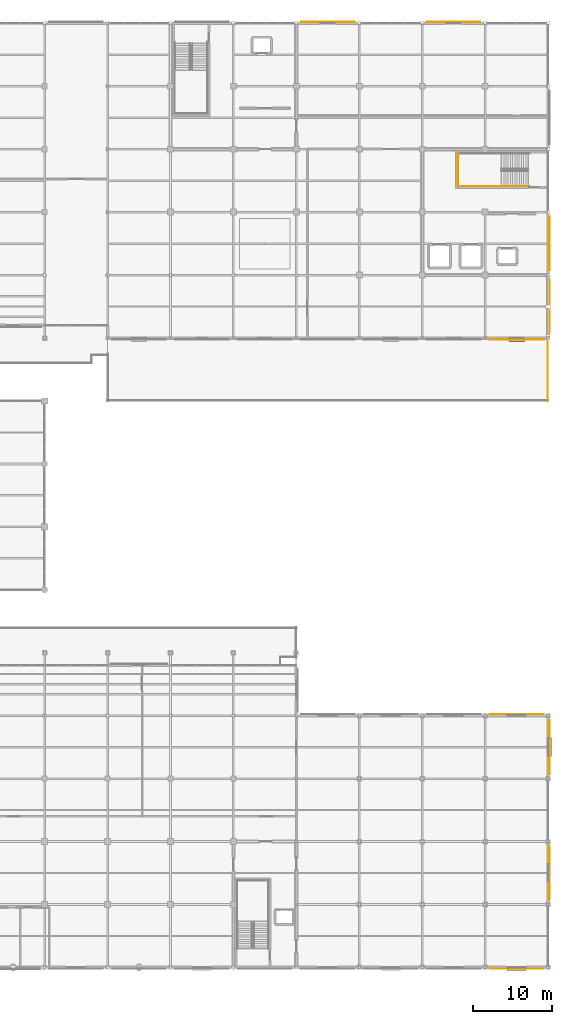
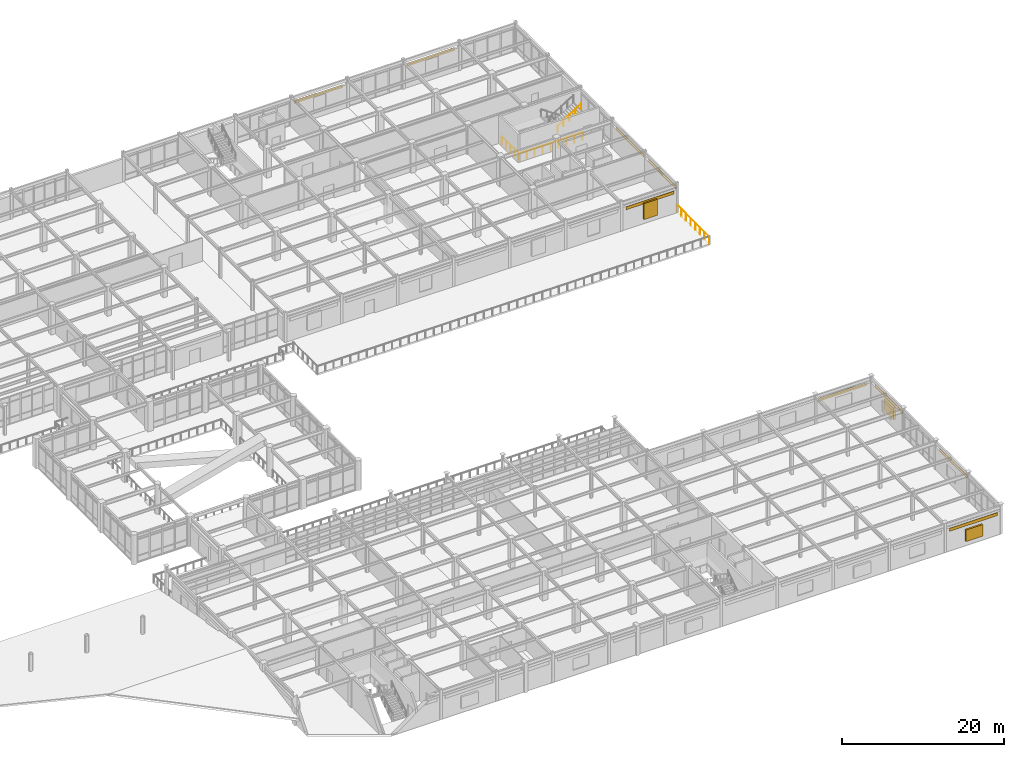
# One storey, part 109 of 111: 9 coverings, 4 railings, 3 shading devices.
"""IFC4 building model written with IfcOpenShell, lengths in metres."""

from ifc_helpers import new_model, si_unit, direction, frame, origin, origin_2d, place, context, subcontext, project, spatial, rectangle, circle, extrude, material, layer, layer_set, type_object, element, save


model = new_model("IFC4")

# Units and contexts
model_context = context("Model", 3, precision=1e-05, world=origin(), true_north=direction((0.0, 1.0)))
body_context = subcontext(model_context, "Body", "Model", "MODEL_VIEW")
ifc_project = project(units=[si_unit("LENGTHUNIT", "METRE"), si_unit("AREAUNIT", "SQUARE_METRE"), si_unit("VOLUMEUNIT", "CUBIC_METRE"), si_unit("PLANEANGLEUNIT", "RADIAN"), si_unit("MASSUNIT", "GRAM", prefix="KILO")], contexts=[model_context])

# Site, building, storey
site_placement = place(None, origin())
site = spatial("IfcSite", under=ifc_project, at=site_placement, CompositionType="ELEMENT")
building_placement = place(site_placement, origin())
building = spatial("IfcBuilding", under=site, at=building_placement, Name="Solmirada Galleria", CompositionType="ELEMENT")
storey_placement = place(building_placement, frame((0.0, 0.0, 10.39990234375)))
storey = spatial("IfcBuildingStorey", under=building, at=storey_placement, Name="L02", CompositionType="ELEMENT", Elevation=10.39990234375)

# Coverings
ifc_material_1 = material(Name="Limestone cladding panels", Category="masonry")
ifc_layer_1 = layer(ifc_material_1, 0.044921875)
ifc_layer_set_1 = layer_set([ifc_layer_1], Name="Limestone cladding panels")
covering_type_1 = type_object("IfcCoveringType", Name="COV-CLAD-LIME", PredefinedType="CLADDING", material=ifc_layer_set_1)
for number, where, z_axis, x_axis, name in (
    (1, (148.0, 120.177490234375, 2.990234375), (0.0, 0.0, 1.0), (1.0, 0.0, 0.0), "Postmodern facade cladding L02-157"),
    (2, (164.0, 120.177490234375, 2.990234375), (0.0, 0.0, 1.0), (1.0, 0.0, 0.0), "Postmodern facade cladding L02-158"),
):
    element("IfcCovering", number, at=place(storey_placement, frame(where, z_axis=z_axis, x_axis=x_axis)), inside=storey, type_object=covering_type_1, Name=name, PredefinedType="CLADDING", context=body_context, shape_type="SweptSolid", body=[
        extrude(rectangle(XDim=6.7939453125, YDim=0.044921875, at=origin_2d()), origin(), (0.0, 0.0, 1.0), 0.4599609375),
    ])
covering_1_placement = place(storey_placement, frame((176.202392578125, 84.0, 2.990234375), z_axis=(0.0, 0.0, 1.0), x_axis=(0.0, -1.0, 0.0)))
element("IfcCovering", 3, at=covering_1_placement, inside=storey, type_object=covering_type_1, Name="Postmodern facade cladding L02-161", PredefinedType="CLADDING", context=body_context, shape_type="SweptSolid", body=[
    extrude(rectangle(XDim=6.819091796875, YDim=0.044921875, at=origin_2d()), origin(), (0.0, 0.0, 1.0), 0.4599609375),
])
for number, where, z_axis, x_axis, name in (
    (4, (176.177490234375, 28.0, 2.990234375), (0.0, 0.0, 1.0), (0.0, -1.0, 0.0), "Postmodern facade cladding L02-178"),
    (5, (176.177490234375, 12.0, 2.990234375), (0.0, 0.0, 1.0), (0.0, -1.0, 0.0), "Postmodern facade cladding L02-179"),
):
    element("IfcCovering", number, at=place(storey_placement, frame(where, z_axis=z_axis, x_axis=x_axis)), inside=storey, type_object=covering_type_1, Name=name, PredefinedType="CLADDING", context=body_context, shape_type="SweptSolid", body=[
        extrude(rectangle(XDim=6.843994140625, YDim=0.044921875, at=origin_2d()), origin(), (0.0, 0.0, 1.0), 0.4599609375),
    ])
ifc_material_2 = material(Name="Glazed terracotta facade panels", Category="masonry")
ifc_layer_2 = layer(ifc_material_2, 0.0400390625)
ifc_layer_set_2 = layer_set([ifc_layer_2], Name="Glazed terracotta facade panels")
covering_type_2 = type_object("IfcCoveringType", Name="COV-CLAD-TERRA", PredefinedType="CLADDING", material=ifc_layer_set_2)
covering_2_placement = place(storey_placement, frame((172.0, -0.175048828125, 2.990234375), z_axis=(0.0, 0.0, 1.0), x_axis=(-1.0, 0.0, 0.0)))
element("IfcCovering", 6, at=covering_2_placement, inside=storey, type_object=covering_type_2, Name="Postmodern facade cladding L02-123", PredefinedType="CLADDING", context=body_context, shape_type="SweptSolid", body=[
    extrude(rectangle(XDim=6.843994140625, YDim=0.0400390625, at=origin_2d()), origin(), (0.0, 0.0, 1.0), 0.4599609375),
])
covering_3_placement = place(storey_placement, frame((176.175048828125, 92.0, 2.990234375), z_axis=(0.0, 0.0, 1.0), x_axis=(0.0, -1.0, 0.0)))
element("IfcCovering", 7, at=covering_3_placement, inside=storey, type_object=covering_type_2, Name="Postmodern facade cladding L02-160", PredefinedType="CLADDING", context=body_context, shape_type="SweptSolid", body=[
    extrude(rectangle(XDim=6.7939453125, YDim=0.0400390625, at=origin_2d()), origin(), (0.0, 0.0, 1.0), 0.4599609375),
])
for number, where, z_axis, x_axis, name in (
    (8, (172.0, 79.824951171875, 2.990234375), (0.0, 0.0, 1.0), (-1.0, 0.0, 0.0), "Postmodern facade cladding L02-162"),
    (9, (172.0, 32.175048828125, 2.990234375), (0.0, 0.0, 1.0), (1.0, 0.0, 0.0), "Postmodern facade cladding L02-177"),
):
    element("IfcCovering", number, at=place(storey_placement, frame(where, z_axis=z_axis, x_axis=x_axis)), inside=storey, type_object=covering_type_2, Name=name, PredefinedType="CLADDING", context=body_context, shape_type="SweptSolid", body=[
        extrude(rectangle(XDim=6.843994140625, YDim=0.0400390625, at=origin_2d()), origin(), (0.0, 0.0, 1.0), 0.4599609375),
    ])

# Railings
ifc_material_3 = material(Name="Painted steel tubular railing", Category="steel")
railing_type_1 = type_object("IfcRailingType", Name="RAIL-STAIR-GUARD", PredefinedType="GUARDRAIL", material=ifc_material_3)
railing_1_placement = place(storey_placement, frame((173.6201171875, 99.2900390625, 0.0)))
element("IfcRailing", 10, at=railing_1_placement, inside=storey, type_object=railing_type_1, Name="Stair ST4 well edge guard L02-1", PredefinedType="GUARDRAIL", context=body_context, shape_type="SweptSolid", body=[
    extrude(circle(Radius=0.02392578125, at=origin_2d()), frame((0.0, 0.0, 1.09619140625), z_axis=(-1.0, 0.0, 0.0), x_axis=(0.0, -1.0, 0.0)), (0.0, 0.0, 1.0), 9.080078125),
    extrude(circle(Radius=0.02099609375, at=origin_2d()), origin(), (0.0, 0.0, 1.0), 1.068115234375),
    extrude(circle(Radius=0.02099609375, at=origin_2d()), frame((-1.135009765625, 0.0, 0.0)), (0.0, 0.0, 1.0), 1.068115234375),
    extrude(circle(Radius=0.02099609375, at=origin_2d()), frame((-2.27001953125, 0.0, 0.0)), (0.0, 0.0, 1.0), 1.068115234375),
    extrude(circle(Radius=0.02099609375, at=origin_2d()), frame((-3.405029296875, 0.0, 0.0)), (0.0, 0.0, 1.0), 1.068115234375),
    extrude(circle(Radius=0.02099609375, at=origin_2d()), frame((-4.5400390625, 0.0, 0.0)), (0.0, 0.0, 1.0), 1.068115234375),
    extrude(circle(Radius=0.02099609375, at=origin_2d()), frame((-5.675048828125, 0.0, 0.0)), (0.0, 0.0, 1.0), 1.068115234375),
    extrude(circle(Radius=0.02099609375, at=origin_2d()), frame((-6.81005859375, 0.0, 0.0)), (0.0, 0.0, 1.0), 1.068115234375),
    extrude(circle(Radius=0.02099609375, at=origin_2d()), frame((-7.945068359375, 0.0, 0.0)), (0.0, 0.0, 1.0), 1.068115234375),
    extrude(circle(Radius=0.02099609375, at=origin_2d()), frame((-9.080078125, 0.0, 0.0)), (0.0, 0.0, 1.0), 1.068115234375),
])
railing_2_placement = place(storey_placement, frame((164.5400390625, 99.2900390625, 0.0)))
element("IfcRailing", 11, at=railing_2_placement, inside=storey, type_object=railing_type_1, Name="Stair ST4 well edge guard L02-2", PredefinedType="GUARDRAIL", context=body_context, shape_type="SweptSolid", body=[
    extrude(circle(Radius=0.02392578125, at=origin_2d()), frame((0.0, 0.0, 1.09619140625), z_axis=(0.0, 1.0, 0.0), x_axis=(-1.0, 0.0, 0.0)), (0.0, 0.0, 1.0), 4.169921875),
    extrude(circle(Radius=0.02099609375, at=origin_2d()), origin(), (0.0, 0.0, 1.0), 1.068115234375),
    extrude(circle(Radius=0.02099609375, at=origin_2d()), frame((0.0, 1.04248046875, 0.0)), (0.0, 0.0, 1.0), 1.068115234375),
    extrude(circle(Radius=0.02099609375, at=origin_2d()), frame((0.0, 2.0849609375, 0.0)), (0.0, 0.0, 1.0), 1.068115234375),
    extrude(circle(Radius=0.02099609375, at=origin_2d()), frame((0.0, 3.12744140625, 0.0)), (0.0, 0.0, 1.0), 1.068115234375),
    extrude(circle(Radius=0.02099609375, at=origin_2d()), frame((0.0, 4.169921875, 0.0)), (0.0, 0.0, 1.0), 1.068115234375),
])
railing_type_2 = type_object("IfcRailingType", Name="RAIL-STAIR-HAND", PredefinedType="HANDRAIL", material=ifc_material_3)
railing_3_placement = place(storey_placement, frame((170.090087890625, 99.300048828125, 2.423095703125)))
element("IfcRailing", 12, at=railing_3_placement, inside=storey, type_object=railing_type_2, Name="L02 ST4 stair handrail 2", PredefinedType="HANDRAIL", context=body_context, shape_type="SweptSolid", body=[
    extrude(circle(Radius=0.02392578125, at=origin_2d()), frame((0.0, 0.0, 0.8759765625), z_axis=(0.830896709279, 0.0, 0.556426687452), x_axis=(0.0, 1.0, 0.0)), (0.0, 0.0, 1.0), 4.043701171875),
    extrude(circle(Radius=0.02099609375, at=origin_2d()), origin(), (0.0, 0.0, 1.0), 0.847900390625),
    extrude(circle(Radius=0.02099609375, at=origin_2d()), frame((0.83984375, 0.0, 0.5625)), (0.0, 0.0, 1.0), 0.847900390625),
    extrude(circle(Radius=0.02099609375, at=origin_2d()), frame((1.679931640625, 0.0, 1.125)), (0.0, 0.0, 1.0), 0.847900390625),
    extrude(circle(Radius=0.02099609375, at=origin_2d()), frame((2.52001953125, 0.0, 1.6875)), (0.0, 0.0, 1.0), 0.847900390625),
    extrude(circle(Radius=0.02099609375, at=origin_2d()), frame((3.35986328125, 0.0, 2.25)), (0.0, 0.0, 1.0), 0.847900390625),
])
ifc_material_4 = material(Name="Painted galvanized steel balustrade", Category="steel")
railing_type_3 = type_object("IfcRailingType", Name="RAIL-TERR-1100", PredefinedType="GUARDRAIL", material=ifc_material_4)
railing_4_placement = place(storey_placement, frame((175.949951171875, 72.0, 0.0)))
element("IfcRailing", 13, at=railing_4_placement, inside=storey, type_object=railing_type_3, Name="Terrace guardrail L02-TERR-WING E2.1", PredefinedType="GUARDRAIL", context=body_context, shape_type="SweptSolid", body=[
    extrude(circle(Radius=0.02392578125, at=origin_2d()), frame((0.0, 0.0, 1.09619140625), z_axis=(0.0, 1.0, 0.0), x_axis=(-1.0, 0.0, 0.0)), (0.0, 0.0, 1.0), 8.0),
    extrude(circle(Radius=0.02099609375, at=origin_2d()), origin(), (0.0, 0.0, 1.0), 1.068115234375),
    extrude(circle(Radius=0.02099609375, at=origin_2d()), frame((0.0, 1.142822265625, 0.0)), (0.0, 0.0, 1.0), 1.068115234375),
    extrude(circle(Radius=0.02099609375, at=origin_2d()), frame((0.0, 2.28564453125, 0.0)), (0.0, 0.0, 1.0), 1.068115234375),
    extrude(circle(Radius=0.02099609375, at=origin_2d()), frame((0.0, 3.428466796875, 0.0)), (0.0, 0.0, 1.0), 1.068115234375),
    extrude(circle(Radius=0.02099609375, at=origin_2d()), frame((0.0, 4.571533203125, 0.0)), (0.0, 0.0, 1.0), 1.068115234375),
    extrude(circle(Radius=0.02099609375, at=origin_2d()), frame((0.0, 5.71435546875, 0.0)), (0.0, 0.0, 1.0), 1.068115234375),
    extrude(circle(Radius=0.02099609375, at=origin_2d()), frame((0.0, 6.857177734375, 0.0)), (0.0, 0.0, 1.0), 1.068115234375),
    extrude(circle(Radius=0.02099609375, at=origin_2d()), frame((0.0, 8.0, 0.0)), (0.0, 0.0, 1.0), 1.068115234375),
])

# Shading devices
ifc_material_5 = material(Name="Extruded aluminium storm louvres", Category="aluminium")
shading_device_type = type_object("IfcShadingDeviceType", Name="SHD-JALOUSIE", PredefinedType="JALOUSIE", material=ifc_material_5)
shading_device_1_placement = place(storey_placement, frame((172.0, -0.284912109375, 0.800048828125), z_axis=(0.0, 0.0, 1.0), x_axis=(-1.0, 0.0, 0.0)))
element("IfcShadingDevice", 14, at=shading_device_1_placement, inside=storey, type_object=shading_device_type, Name="Hurricane storm jalousie louvre 049", PredefinedType="JALOUSIE", context=body_context, shape_type="SweptSolid", body=[
    extrude(rectangle(XDim=2.409912109375, YDim=0.260009765625, at=origin_2d()), origin(), (0.0, 0.0, 1.0), 1.75),
])
shading_device_2_placement = place(storey_placement, frame((172.0, 79.715087890625, 0.800048828125), z_axis=(0.0, 0.0, 1.0), x_axis=(-1.0, 0.0, 0.0)))
element("IfcShadingDevice", 15, at=shading_device_2_placement, inside=storey, type_object=shading_device_type, Name="Hurricane storm jalousie louvre 058", PredefinedType="JALOUSIE", context=body_context, shape_type="SweptSolid", body=[
    extrude(rectangle(XDim=1.9599609375, YDim=0.260009765625, at=origin_2d()), origin(), (0.0, 0.0, 1.0), 2.39990234375),
])
shading_device_3_placement = place(storey_placement, frame((176.284912109375, 28.0, 0.800048828125), z_axis=(0.0, 0.0, 1.0), x_axis=(0.0, -1.0, 0.0)))
element("IfcShadingDevice", 16, at=shading_device_3_placement, inside=storey, type_object=shading_device_type, Name="Hurricane storm jalousie louvre 062", PredefinedType="JALOUSIE", context=body_context, shape_type="SweptSolid", body=[
    extrude(rectangle(XDim=2.409912109375, YDim=0.260009765625, at=origin_2d()), origin(), (0.0, 0.0, 1.0), 1.75),
])

save(model, "model.ifc")
